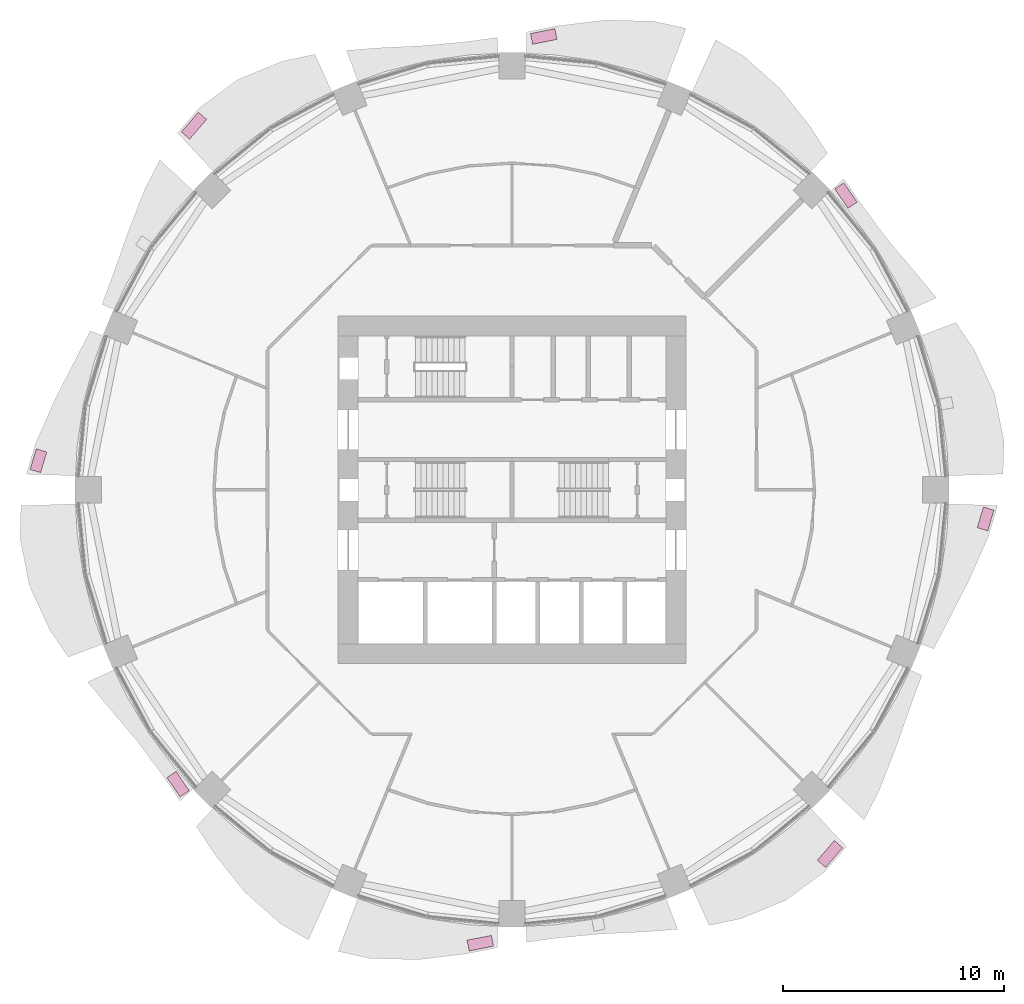
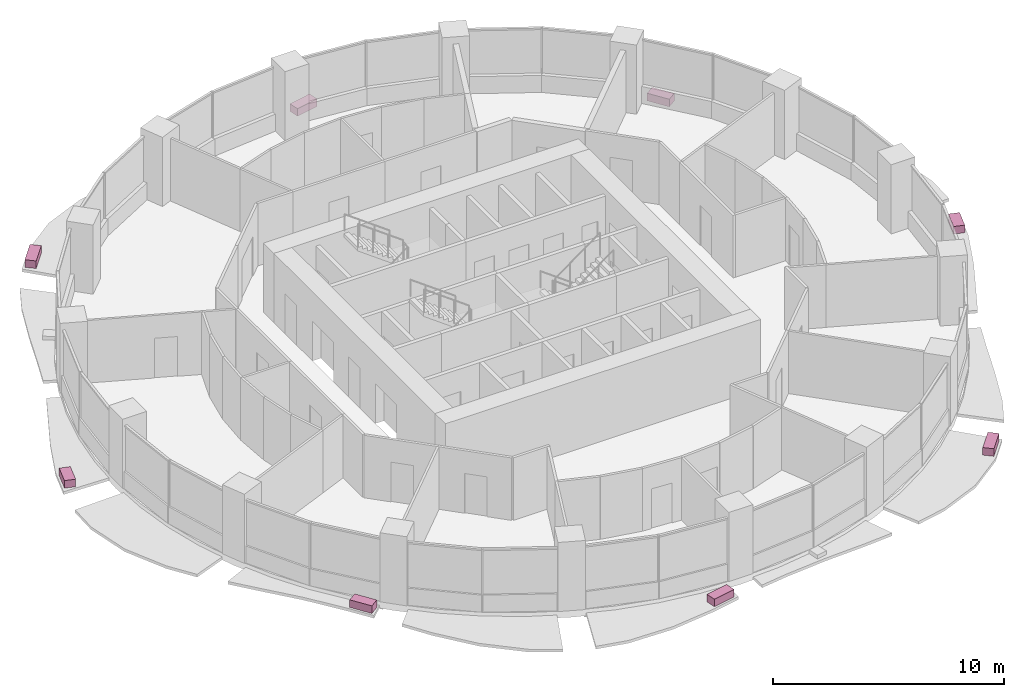
# One storey, part 15 of 15: 8 furniture elements.
"""IFC4 building model written with IfcOpenShell, lengths in metres."""

from ifc_helpers import new_model, si_unit, direction, frame, origin, origin_2d, place, context, subcontext, project, spatial, rectangle, extrude, material, type_object, element, save


model = new_model("IFC4")

# Units and contexts
model_context = context("Model", 3, precision=1e-05, world=origin(), true_north=direction((0.0, 1.0)))
body_context = subcontext(model_context, "Body", "Model", "MODEL_VIEW")
ifc_project = project(units=[si_unit("LENGTHUNIT", "METRE"), si_unit("AREAUNIT", "SQUARE_METRE"), si_unit("VOLUMEUNIT", "CUBIC_METRE"), si_unit("PLANEANGLEUNIT", "RADIAN"), si_unit("MASSUNIT", "GRAM", prefix="KILO")], contexts=[model_context])

# Site, building, storey
site_placement = place(None, origin())
site = spatial("IfcSite", under=ifc_project, at=site_placement, CompositionType="ELEMENT")
building_placement = place(site_placement, origin())
building = spatial("IfcBuilding", under=site, at=building_placement, Name="Polderwave Tower", CompositionType="ELEMENT")
storey_placement = place(building_placement, frame((0.0, 0.0, 33.5)))
storey = spatial("IfcBuildingStorey", under=building, at=storey_placement, Name="L08", CompositionType="ELEMENT", Elevation=33.5)

# Furniture
ifc_material = material(Name="Terracotta", Category="masonry")
furniture_type = type_object("IfcFurnitureType", Name="Terracotta planting trough", AssemblyPlace="NOTDEFINED", PredefinedType="USERDEFINED", material=ifc_material)
furniture_1_placement = place(storey_placement, frame((15.12646484375, 13.33056640625, -0.199951171875), z_axis=(0.0, 0.0, 1.0), x_axis=(-0.565954503225, 0.824436474375, 0.0)))
element("IfcFurniture", 1, at=furniture_1_placement, inside=storey, type_object=furniture_type, Name="Planting trough L08 2", ObjectType="PLANTER", PredefinedType="USERDEFINED", context=body_context, shape_type="SweptSolid", body=[
    extrude(rectangle(XDim=1.062255859375, YDim=0.5, at=origin_2d()), origin(), (0.0, 0.0, 1.0), 0.39990234375),
])
furniture_2_placement = place(storey_placement, frame((1.437744140625, 20.53515625, -0.199951171875), z_axis=(0.0, 0.0, 1.0), x_axis=(-0.980838701586, -0.194821563157, 0.0)))
element("IfcFurniture", 2, at=furniture_2_placement, inside=storey, type_object=furniture_type, Name="Planting trough L08 4", ObjectType="PLANTER", PredefinedType="USERDEFINED", context=body_context, shape_type="SweptSolid", body=[
    extrude(rectangle(XDim=1.12841796875, YDim=0.5, at=origin_2d()), origin(), (0.0, 0.0, 1.0), 0.39990234375),
])
furniture_3_placement = place(storey_placement, frame((-14.404541015625, 16.4951171875, -0.199951171875), z_axis=(0.0, 0.0, 1.0), x_axis=(-0.654071716391, -0.756432541485, 0.0)))
element("IfcFurniture", 3, at=furniture_3_placement, inside=storey, type_object=furniture_type, Name="Planting trough L08 6", ObjectType="PLANTER", PredefinedType="USERDEFINED", context=body_context, shape_type="SweptSolid", body=[
    extrude(rectangle(XDim=1.18115234375, YDim=0.5, at=origin_2d()), origin(), (0.0, 0.0, 1.0), 0.39990234375),
])
furniture_4_placement = place(storey_placement, frame((-21.450927734375, 1.31787109375, -0.199951171875), z_axis=(0.0, 0.0, 1.0), x_axis=(-0.284488898125, -0.958679334733, 0.0)))
element("IfcFurniture", 4, at=furniture_4_placement, inside=storey, type_object=furniture_type, Name="Planting trough L08 8", ObjectType="PLANTER", PredefinedType="USERDEFINED", context=body_context, shape_type="SweptSolid", body=[
    extrude(rectangle(XDim=0.9765625, YDim=0.5, at=origin_2d()), origin(), (0.0, 0.0, 1.0), 0.39990234375),
])
furniture_5_placement = place(storey_placement, frame((-15.12646484375, -13.33056640625, -0.199951171875), z_axis=(0.0, 0.0, 1.0), x_axis=(0.565954503225, -0.824436474375, 0.0)))
element("IfcFurniture", 5, at=furniture_5_placement, inside=storey, type_object=furniture_type, Name="Planting trough L08 10", ObjectType="PLANTER", PredefinedType="USERDEFINED", context=body_context, shape_type="SweptSolid", body=[
    extrude(rectangle(XDim=1.062255859375, YDim=0.5, at=origin_2d()), origin(), (0.0, 0.0, 1.0), 0.39990234375),
])
furniture_6_placement = place(storey_placement, frame((-1.437744140625, -20.53515625, -0.199951171875), z_axis=(0.0, 0.0, 1.0), x_axis=(0.980838701586, 0.194821563157, 0.0)))
element("IfcFurniture", 6, at=furniture_6_placement, inside=storey, type_object=furniture_type, Name="Planting trough L08 12", ObjectType="PLANTER", PredefinedType="USERDEFINED", context=body_context, shape_type="SweptSolid", body=[
    extrude(rectangle(XDim=1.12841796875, YDim=0.5, at=origin_2d()), origin(), (0.0, 0.0, 1.0), 0.39990234375),
])
furniture_7_placement = place(storey_placement, frame((14.404541015625, -16.4951171875, -0.199951171875), z_axis=(0.0, 0.0, 1.0), x_axis=(0.654071716391, 0.756432541485, 0.0)))
element("IfcFurniture", 7, at=furniture_7_placement, inside=storey, type_object=furniture_type, Name="Planting trough L08 14", ObjectType="PLANTER", PredefinedType="USERDEFINED", context=body_context, shape_type="SweptSolid", body=[
    extrude(rectangle(XDim=1.18115234375, YDim=0.5, at=origin_2d()), origin(), (0.0, 0.0, 1.0), 0.39990234375),
])
furniture_8_placement = place(storey_placement, frame((21.450927734375, -1.31787109375, -0.199951171875), z_axis=(0.0, 0.0, 1.0), x_axis=(0.284488898125, 0.958679334733, 0.0)))
element("IfcFurniture", 8, at=furniture_8_placement, inside=storey, type_object=furniture_type, Name="Planting trough L08 16", ObjectType="PLANTER", PredefinedType="USERDEFINED", context=body_context, shape_type="SweptSolid", body=[
    extrude(rectangle(XDim=0.9765625, YDim=0.5, at=origin_2d()), origin(), (0.0, 0.0, 1.0), 0.39990234375),
])

save(model, "model.ifc")
